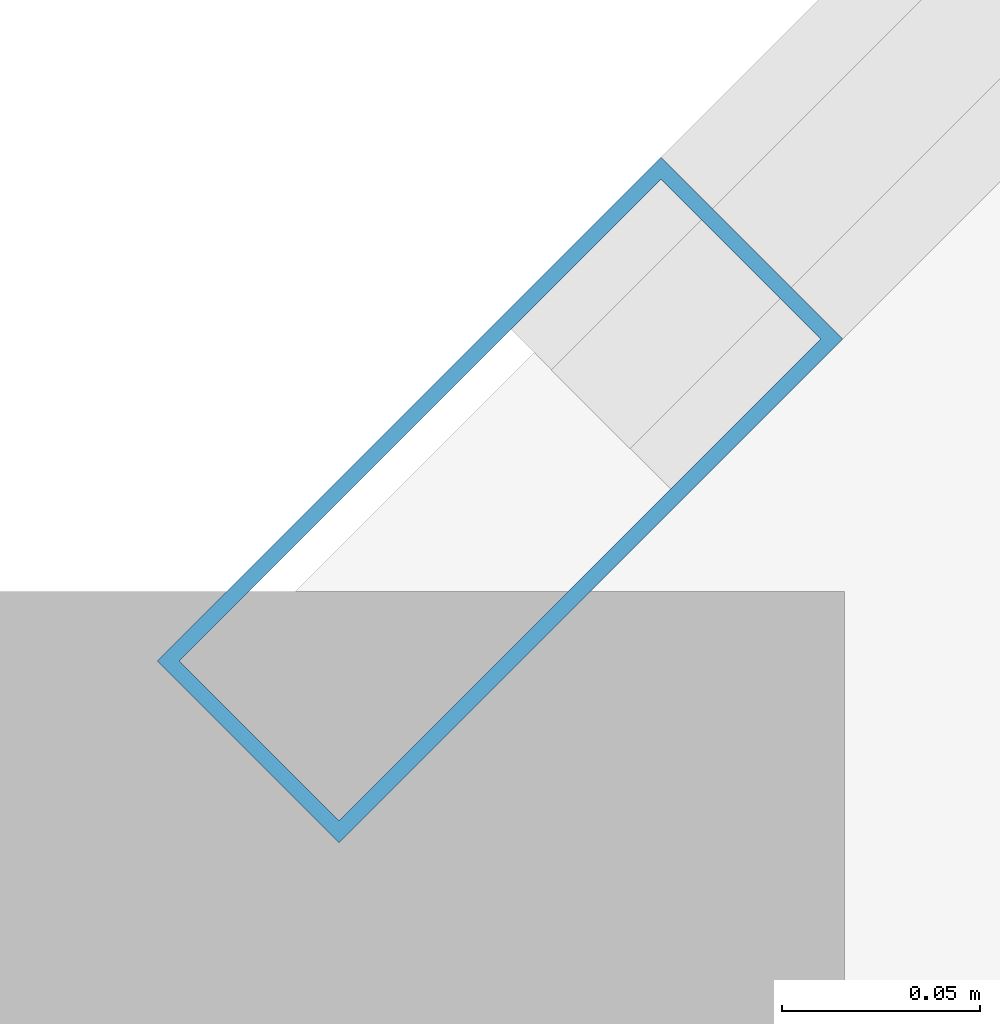
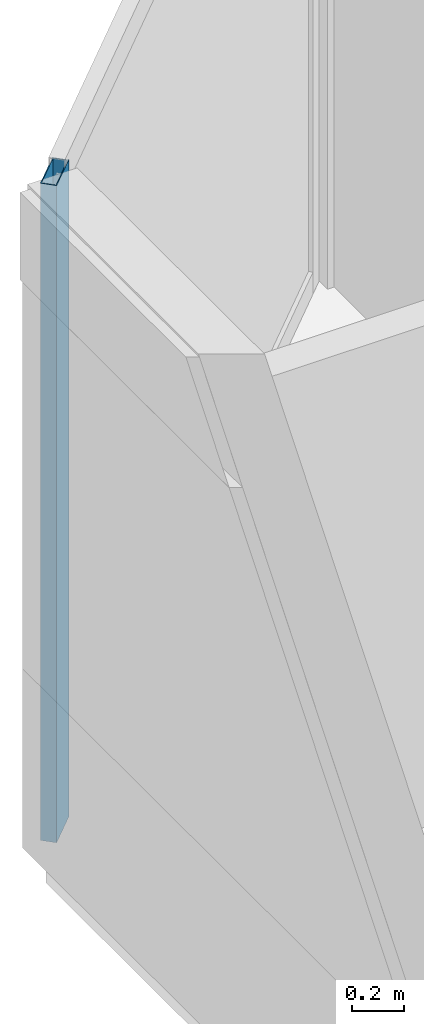
# One storey, part 5 of 28: 1 member, 1 element without a shape of its own.
"""IFC4 building model written with IfcOpenShell, lengths in metres."""

from ifc_helpers import new_model, si_unit, direction, frame, origin, origin_2d, place, context, subcontext, project, spatial, hollow_rectangle, extrude, material, layer, layer_set, material_profile, profile_set, type_object, element, aggregate, save


model = new_model("IFC4")

# Units and contexts
model_context = context("Model", 3, precision=1e-05, world=origin(), true_north=direction((0.0, 1.0)))
body_context = subcontext(model_context, "Body", "Model", "MODEL_VIEW")
ifc_project = project(units=[si_unit("LENGTHUNIT", "METRE"), si_unit("AREAUNIT", "SQUARE_METRE"), si_unit("VOLUMEUNIT", "CUBIC_METRE"), si_unit("PLANEANGLEUNIT", "RADIAN"), si_unit("MASSUNIT", "GRAM", prefix="KILO")], contexts=[model_context])

# Site, building, storey
site_placement = place(None, origin())
site = spatial("IfcSite", under=ifc_project, at=site_placement, CompositionType="ELEMENT")
building_placement = place(site_placement, origin())
building = spatial("IfcBuilding", under=site, at=building_placement, Name="Tanjung Sevakor Pilgrim Tower", CompositionType="ELEMENT")
storey_placement = place(building_placement, frame((0.0, 0.0, 239.25)))
storey = spatial("IfcBuildingStorey", under=building, at=storey_placement, Name="L67", CompositionType="ELEMENT", Elevation=239.25)

# Curtain wall, member
ifc_material_1 = material(Name="Aluminium 6063-T6 and Low-E Glass", Category="aluminium")
ifc_layer = layer(ifc_material_1, 0.179931640625)
ifc_layer_set = layer_set([ifc_layer], Name="CW-SYS-CHAM")
curtain_wall_type = type_object("IfcCurtainWallType", Name="CW-SYS-CHAM", PredefinedType="NOTDEFINED", material=ifc_layer_set)
curtain_wall_placement = place(storey_placement, origin())
curtain_wall = element("IfcCurtainWall", 1, at=curtain_wall_placement, inside=storey, type_object=curtain_wall_type, Name="L67 Curtain Wall CW-CHM-L67-WEST-5", PredefinedType="NOTDEFINED")
ifc_material_2 = material(Name="Aluminium 6063-T6", Category="aluminium")
ifc_material_profile = material_profile(ifc_material_2, hollow_rectangle(XDim=0.06494140625, YDim=0.179931640625, WallThickness=0.00390625, at=origin_2d()))
ifc_profile_set = profile_set([ifc_material_profile], Name="Aluminium 6063-T6")
member_type = type_object("IfcMemberType", Name="TYPE-CWM-1", PredefinedType="MULLION", material=ifc_profile_set)
member_placement = place(storey_placement, frame((22.133056640625, 43.577392578125, 0.0), z_axis=(0.0, 0.0, 1.0), x_axis=(0.707106781187, -0.707106781187, 0.0)))
member = element("IfcMember", 2, at=member_placement, type_object=member_type, Name="CW-CHM mullion 2", PredefinedType="MULLION", context=body_context, shape_type="SweptSolid", body=[
    extrude(hollow_rectangle(XDim=0.06494140625, YDim=0.179931640625, WallThickness=0.00390625, at=origin_2d()), origin(), (0.0, 0.0, 1.0), 3.080078125),
])
aggregate(curtain_wall, [member])

save(model, "model.ifc")
